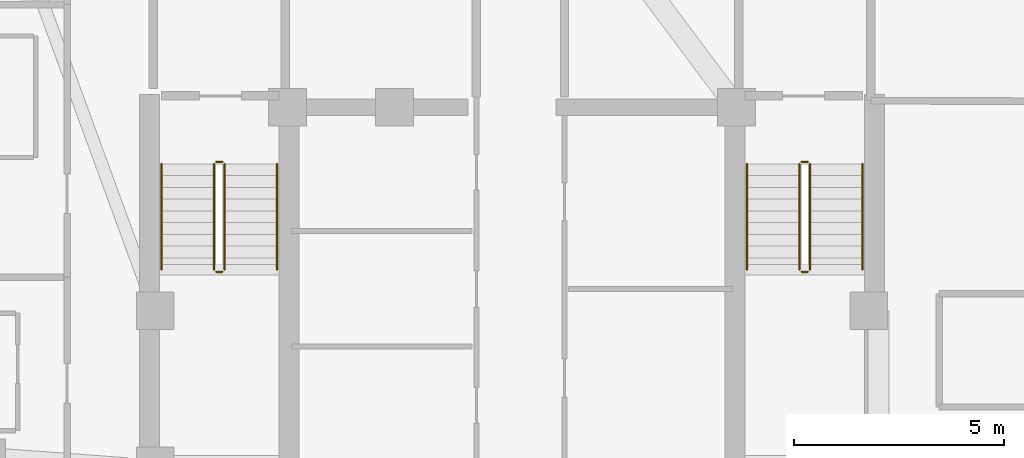
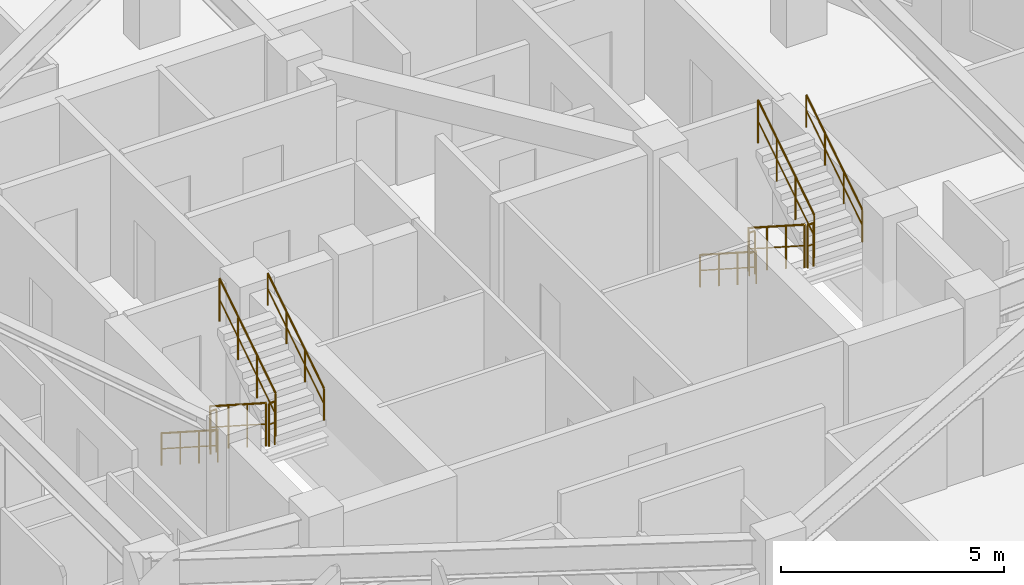
# One storey, part 9 of 9: 12 railings.
"""IFC4 building model written with IfcOpenShell, lengths in metres."""

import ifcopenshell
import ifcopenshell.guid

model = None  # the IFC model being written
_history = None  # IfcOwnerHistory: only IFC2X3 demands one
_inside = {}  # id of a spatial element -> (the spatial element, [elements in it])
_under = {}  # id of a project, library or spatial element -> (it, [spatial elements below it])
_declared = {}  # id of a project -> (the project, [libraries it declares])
_typed = {}  # id of a type object -> (the type object, [elements of that type])
_made_of = {}  # id of a material, layer set ... -> (it, [elements and type objects made of it])


def new_model(schema):
    """Start an empty IFC model of exactly this schema.

    Asked for "IFC4X3", IfcOpenShell would pick the latest addendum, in which some entities
    have other attributes; the version numbers below select the first issue.
    IFC2X3 requires an IfcOwnerHistory on every rooted entity: one is made here for all.
    """
    global model, _history
    if schema == "IFC4X3":
        model = ifcopenshell.file(schema_version=(4, 3, 0, 0))
    else:
        model = ifcopenshell.file(schema=schema)
    _inside.clear()
    _under.clear()
    _declared.clear()
    _typed.clear()
    _made_of.clear()
    _history = None
    if model.schema == "IFC2X3":
        org = make("IfcOrganization", Name="unknown")
        user = make(
            "IfcPersonAndOrganization",
            ThePerson=make("IfcPerson", FamilyName="unknown"),
            TheOrganization=org,
        )
        app = make(
            "IfcApplication",
            ApplicationDeveloper=org,
            Version="unknown",
            ApplicationFullName="unknown",
            ApplicationIdentifier="unknown",
        )
        _history = make(
            "IfcOwnerHistory",
            OwningUser=user,
            OwningApplication=app,
            ChangeAction="ADDED",
            CreationDate=0,
        )
    return model


def make(cls, **values):
    """One entity of the class cls with the attributes given. An attribute that is None is left unset."""
    return model.create_entity(
        cls, **{name: value for name, value in values.items() if value is not None}
    )


def rooted(cls, **values):
    """An entity with a GlobalId (a new one), such as an element, a storey or a relation."""
    return make(cls, GlobalId=ifcopenshell.guid.new(), OwnerHistory=_history, **values)


def si_unit(unit_type, name, prefix=None):
    """IfcSIUnit, for example si_unit("LENGTHUNIT", "METRE", prefix="MILLI")."""
    return make("IfcSIUnit", UnitType=unit_type, Prefix=prefix, Name=name)


def assignment(units):
    """IfcUnitAssignment: the units of a project."""
    return None if units is None else make("IfcUnitAssignment", Units=units)


def point(xyz):
    """IfcCartesianPoint."""
    return None if xyz is None else make("IfcCartesianPoint", Coordinates=xyz)


def direction(xyz):
    """IfcDirection."""
    return None if xyz is None else make("IfcDirection", DirectionRatios=xyz)


def frame(location, z_axis=None, x_axis=None):
    """IfcAxis2Placement3D, a coordinate frame: its origin and axes. An axis left out is left unset."""
    return make(
        "IfcAxis2Placement3D",
        Location=point(location),
        Axis=direction(z_axis),
        RefDirection=direction(x_axis),
    )


def frame_2d(location, x_axis=None):
    """IfcAxis2Placement2D, a coordinate frame in the plane: its origin and x axis."""
    return make(
        "IfcAxis2Placement2D", Location=point(location), RefDirection=direction(x_axis)
    )


def origin():
    """The frame at (0, 0, 0) with its axes left unset."""
    return frame((0.0, 0.0, 0.0))


def origin_2d():
    """The frame at (0, 0) in the plane with its x axis left unset."""
    return frame_2d((0.0, 0.0))


def place(relative_to, where):
    """IfcLocalPlacement: puts the frame where relative to a parent placement (None: the world)."""
    return make(
        "IfcLocalPlacement", PlacementRelTo=relative_to, RelativePlacement=where
    )


def context(
    kind, dimensions, precision=None, world=None, true_north=None, identifier=None
):
    """IfcGeometricRepresentationContext, for example the 3D "Model" context."""
    return make(
        "IfcGeometricRepresentationContext",
        ContextIdentifier=identifier,
        ContextType=kind,
        CoordinateSpaceDimension=dimensions,
        Precision=precision,
        WorldCoordinateSystem=world,
        TrueNorth=true_north,
    )


def subcontext(parent, identifier, kind, view, scale=None):
    """IfcGeometricRepresentationSubContext, for example "Body" below "Model"."""
    return make(
        "IfcGeometricRepresentationSubContext",
        ContextIdentifier=identifier,
        ContextType=kind,
        ParentContext=parent,
        TargetScale=scale,
        TargetView=view,
    )


def project(units=None, contexts=None):
    """IfcProject with its units and contexts."""
    return rooted(
        "IfcProject",
        Name="project",
        RepresentationContexts=contexts,
        UnitsInContext=assignment(units),
    )


def spatial(cls, under=None, at=None, **own):
    """A site, building, storey or space (cls), placed at a placement, below another one or the project."""
    s = rooted(cls, ObjectPlacement=at, **own)
    if under is not None:
        _under.setdefault(under.id(), (under, []))[1].append(s)
    return s


def profile(cls, at=None, kind="AREA", **sizes):
    """A parametric profile (cls). Its sizes go by their IFC names, for example OverallWidth=200.0."""
    return make(cls, ProfileType=kind, Position=at, **sizes)


def circle(**sizes):
    """IfcCircleProfileDef."""
    return profile("IfcCircleProfileDef", **sizes)


def extrude(swept, where, along, depth):
    """IfcExtrudedAreaSolid: the profile swept, set in the frame where, extruded along a direction by depth."""
    return make(
        "IfcExtrudedAreaSolid",
        SweptArea=swept,
        Position=where,
        ExtrudedDirection=direction(along),
        Depth=depth,
    )


def shape(context_of_items, identifier, shape_type, items):
    """IfcShapeRepresentation: the items that make up one representation, for example the "Body"."""
    return make(
        "IfcShapeRepresentation",
        ContextOfItems=context_of_items,
        RepresentationIdentifier=identifier,
        RepresentationType=shape_type,
        Items=items,
    )


def material(Name=None, Category=None):
    """IfcMaterial."""
    return make("IfcMaterial", Name=Name, Category=Category)


def made_of(thing, what):
    """Note that an element or type object is made of a material, layer set ...; save() writes the relation."""
    if what is not None:
        _made_of.setdefault(what.id(), (what, []))[1].append(thing)
    return thing


def type_object(cls, material=None, **own):
    """A type object (cls), such as IfcWallType, which elements share."""
    return made_of(rooted(cls, **own), material)


def element(
    cls,
    number,
    at=None,
    inside=None,
    cuts=None,
    type_object=None,
    material=None,
    context=None,
    identifier="Body",
    shape_type=None,
    held_by="IfcProductDefinitionShape",
    body=None,
    shapes=None,
    **own,
):
    """One element of the class cls, such as IfcWall. Its Tag is "e" and its number.

    at: its placement. inside: the storey or other place that contains it. cuts: it is an
    opening in that element (IfcRelVoidsElement). A single representation is given by context,
    identifier, shape_type and body (its items); several are given by shapes. held_by: the class
    of the entity that holds the representations. save() writes the other relations.
    """
    e = rooted(cls, Tag="e%d" % number, ObjectPlacement=at, **own)
    if body is not None:
        shapes = [shape(context, identifier, shape_type, body)]
    if shapes is not None:
        e.Representation = make(held_by, Representations=shapes)
    if inside is not None:
        _inside.setdefault(inside.id(), (inside, []))[1].append(e)
    if cuts is not None:
        rooted(
            "IfcRelVoidsElement", RelatingBuildingElement=cuts, RelatedOpeningElement=e
        )
    if type_object is not None:
        _typed.setdefault(type_object.id(), (type_object, []))[1].append(e)
    return made_of(e, material)


def aggregate(whole, parts):
    """IfcRelAggregates: a whole, such as a stair, and the parts it consists of."""
    return rooted("IfcRelAggregates", RelatingObject=whole, RelatedObjects=parts)


def save(model, path):
    """Write the relations noted so far, then the file.

    IfcRelAggregates (storeys below a building ...), IfcRelContainedInSpatialStructure (elements
    in a storey), IfcRelDefinesByType, IfcRelAssociatesMaterial and IfcRelDeclares: one each for
    every whole, place, type object, material and project.
    """
    for whole, parts in _under.values():
        aggregate(whole, parts)
    for where, things in _inside.values():
        rooted(
            "IfcRelContainedInSpatialStructure",
            RelatedElements=things,
            RelatingStructure=where,
        )
    for kind, things in _typed.values():
        rooted("IfcRelDefinesByType", RelatedObjects=things, RelatingType=kind)
    for what, things in _made_of.values():
        rooted("IfcRelAssociatesMaterial", RelatedObjects=things, RelatingMaterial=what)
    for by, libraries in _declared.values():
        rooted("IfcRelDeclares", RelatingContext=by, RelatedDefinitions=libraries)
    model.write(path)


model = new_model("IFC4")

# Units and contexts
model_context = context("Model", 3, precision=1e-05, world=origin(), true_north=direction((0.0, 1.0)))
body_context = subcontext(model_context, "Body", "Model", "MODEL_VIEW")
ifc_project = project(units=[si_unit("LENGTHUNIT", "METRE"), si_unit("AREAUNIT", "SQUARE_METRE"), si_unit("VOLUMEUNIT", "CUBIC_METRE"), si_unit("PLANEANGLEUNIT", "RADIAN"), si_unit("MASSUNIT", "GRAM", prefix="KILO")], contexts=[model_context])

# Site, building, storey
site_placement = place(None, origin())
site = spatial("IfcSite", under=ifc_project, at=site_placement, CompositionType="ELEMENT")
building_placement = place(site_placement, origin())
building = spatial("IfcBuilding", under=site, at=building_placement, Name="Miruveldt Soraemaru", CompositionType="ELEMENT")
storey_placement = place(building_placement, frame((0.0, 0.0, 241.199951171875)))
storey = spatial("IfcBuildingStorey", under=building, at=storey_placement, Name="L66", CompositionType="ELEMENT", Elevation=241.199951171875)

# Railings
ifc_material = material(Name="Steel S355 (355 MPa)", Category="steel")
railing_type_1 = type_object("IfcRailingType", Name="RAIL-HR-900", PredefinedType="HANDRAIL", material=ifc_material)
railing_1_placement = place(storey_placement, frame((35.64990234375, 42.699951171875, 0.179931640625)))
element("IfcRailing", 1, at=railing_1_placement, inside=storey, type_object=railing_type_1, Name="L66 ST-1 stair handrail 1", PredefinedType="HANDRAIL", context=body_context, shape_type="SweptSolid", body=[
    extrude(circle(Radius=0.02392578125, at=origin_2d()), frame((0.0, 0.0, 0.8759765625), z_axis=(0.0, -0.841162588446, 0.540782303519), x_axis=(1.0, 0.0, 0.0)), (0.0, 0.0, 1.0), 2.995849609375),
    extrude(circle(Radius=0.01611328125, at=origin_2d()), frame((0.0, 0.0, 0.449951171875), z_axis=(0.0, -0.841162588446, 0.540782303519), x_axis=(1.0, 0.0, 0.0)), (0.0, 0.0, 1.0), 2.995849609375),
    extrude(circle(Radius=0.02099609375, at=origin_2d()), origin(), (0.0, 0.0, 1.0), 0.851806640625),
    extrude(circle(Radius=0.02099609375, at=origin_2d()), frame((0.0, -0.840087890625, 0.5400390625)), (0.0, 0.0, 1.0), 0.851806640625),
    extrude(circle(Radius=0.02099609375, at=origin_2d()), frame((0.0, -1.679931640625, 1.080078125)), (0.0, 0.0, 1.0), 0.851806640625),
    extrude(circle(Radius=0.02099609375, at=origin_2d()), frame((0.0, -2.52001953125, 1.6201171875)), (0.0, 0.0, 1.0), 0.851806640625),
])
railing_2_placement = place(storey_placement, frame((38.39990234375, 40.179931640625, 1.97998046875)))
element("IfcRailing", 2, at=railing_2_placement, inside=storey, type_object=railing_type_1, Name="L66 ST-1 stair handrail 2", PredefinedType="HANDRAIL", context=body_context, shape_type="SweptSolid", body=[
    extrude(circle(Radius=0.02392578125, at=origin_2d()), frame((0.0, 0.0, 0.8759765625), z_axis=(0.0, 0.841162588446, 0.540782303519), x_axis=(-1.0, 0.0, 0.0)), (0.0, 0.0, 1.0), 2.995849609375),
    extrude(circle(Radius=0.01611328125, at=origin_2d()), frame((0.0, 0.0, 0.449951171875), z_axis=(0.0, 0.841162588446, 0.540782303519), x_axis=(-1.0, 0.0, 0.0)), (0.0, 0.0, 1.0), 2.995849609375),
    extrude(circle(Radius=0.02099609375, at=origin_2d()), origin(), (0.0, 0.0, 1.0), 0.851806640625),
    extrude(circle(Radius=0.02099609375, at=origin_2d()), frame((0.0, 0.840087890625, 0.5400390625)), (0.0, 0.0, 1.0), 0.851806640625),
    extrude(circle(Radius=0.02099609375, at=origin_2d()), frame((0.0, 1.679931640625, 1.080078125)), (0.0, 0.0, 1.0), 0.851806640625),
    extrude(circle(Radius=0.02099609375, at=origin_2d()), frame((0.0, 2.52001953125, 1.6201171875)), (0.0, 0.0, 1.0), 0.851806640625),
])
railing_3_placement = place(storey_placement, frame((49.60009765625, 42.699951171875, 0.179931640625)))
element("IfcRailing", 3, at=railing_3_placement, inside=storey, type_object=railing_type_1, Name="L66 ST-2 stair handrail 1", PredefinedType="HANDRAIL", context=body_context, shape_type="SweptSolid", body=[
    extrude(circle(Radius=0.02392578125, at=origin_2d()), frame((0.0, 0.0, 0.8759765625), z_axis=(0.0, -0.841162588446, 0.540782303519), x_axis=(1.0, 0.0, 0.0)), (0.0, 0.0, 1.0), 2.995849609375),
    extrude(circle(Radius=0.01611328125, at=origin_2d()), frame((0.0, 0.0, 0.449951171875), z_axis=(0.0, -0.841162588446, 0.540782303519), x_axis=(1.0, 0.0, 0.0)), (0.0, 0.0, 1.0), 2.995849609375),
    extrude(circle(Radius=0.02099609375, at=origin_2d()), origin(), (0.0, 0.0, 1.0), 0.851806640625),
    extrude(circle(Radius=0.02099609375, at=origin_2d()), frame((0.0, -0.840087890625, 0.5400390625)), (0.0, 0.0, 1.0), 0.851806640625),
    extrude(circle(Radius=0.02099609375, at=origin_2d()), frame((0.0, -1.679931640625, 1.080078125)), (0.0, 0.0, 1.0), 0.851806640625),
    extrude(circle(Radius=0.02099609375, at=origin_2d()), frame((0.0, -2.52001953125, 1.6201171875)), (0.0, 0.0, 1.0), 0.851806640625),
])
railing_4_placement = place(storey_placement, frame((52.35009765625, 40.179931640625, 1.97998046875)))
element("IfcRailing", 4, at=railing_4_placement, inside=storey, type_object=railing_type_1, Name="L66 ST-2 stair handrail 2", PredefinedType="HANDRAIL", context=body_context, shape_type="SweptSolid", body=[
    extrude(circle(Radius=0.02392578125, at=origin_2d()), frame((0.0, 0.0, 0.8759765625), z_axis=(0.0, 0.841162588446, 0.540782303519), x_axis=(-1.0, 0.0, 0.0)), (0.0, 0.0, 1.0), 2.995849609375),
    extrude(circle(Radius=0.01611328125, at=origin_2d()), frame((0.0, 0.0, 0.449951171875), z_axis=(0.0, 0.841162588446, 0.540782303519), x_axis=(-1.0, 0.0, 0.0)), (0.0, 0.0, 1.0), 2.995849609375),
    extrude(circle(Radius=0.02099609375, at=origin_2d()), origin(), (0.0, 0.0, 1.0), 0.851806640625),
    extrude(circle(Radius=0.02099609375, at=origin_2d()), frame((0.0, 0.840087890625, 0.5400390625)), (0.0, 0.0, 1.0), 0.851806640625),
    extrude(circle(Radius=0.02099609375, at=origin_2d()), frame((0.0, 1.679931640625, 1.080078125)), (0.0, 0.0, 1.0), 0.851806640625),
    extrude(circle(Radius=0.02099609375, at=origin_2d()), frame((0.0, 2.52001953125, 1.6201171875)), (0.0, 0.0, 1.0), 0.851806640625),
])
railing_type_2 = type_object("IfcRailingType", Name="RAIL-STGUARD-1200", PredefinedType="GUARDRAIL", material=ifc_material)
railing_5_placement = place(storey_placement, frame((36.89990234375, 42.699951171875, 0.179931640625)))
element("IfcRailing", 5, at=railing_5_placement, inside=storey, type_object=railing_type_2, Name="L66 ST-1 stair guard 1", PredefinedType="GUARDRAIL", context=body_context, shape_type="SweptSolid", body=[
    extrude(circle(Radius=0.02392578125, at=origin_2d()), frame((0.0, 0.0, 1.17578125), z_axis=(0.0, -0.841162588446, 0.540782303519), x_axis=(1.0, 0.0, 0.0)), (0.0, 0.0, 1.0), 2.995849609375),
    extrude(circle(Radius=0.01611328125, at=origin_2d()), frame((0.0, 0.0, 0.60009765625), z_axis=(0.0, -0.841162588446, 0.540782303519), x_axis=(1.0, 0.0, 0.0)), (0.0, 0.0, 1.0), 2.995849609375),
    extrude(circle(Radius=0.02099609375, at=origin_2d()), origin(), (0.0, 0.0, 1.0), 1.15185546875),
    extrude(circle(Radius=0.02099609375, at=origin_2d()), frame((0.0, -0.840087890625, 0.5400390625)), (0.0, 0.0, 1.0), 1.15185546875),
    extrude(circle(Radius=0.02099609375, at=origin_2d()), frame((0.0, -1.679931640625, 1.080078125)), (0.0, 0.0, 1.0), 1.15185546875),
    extrude(circle(Radius=0.02099609375, at=origin_2d()), frame((0.0, -2.52001953125, 1.6201171875)), (0.0, 0.0, 1.0), 1.15185546875),
])
railing_6_placement = place(storey_placement, frame((36.949951171875, 40.1298828125, 1.800048828125)))
element("IfcRailing", 6, at=railing_6_placement, inside=storey, type_object=railing_type_2, Name="L66 ST-1 stair guard 2", PredefinedType="GUARDRAIL", context=body_context, shape_type="SweptSolid", body=[
    extrude(circle(Radius=0.02392578125, at=origin_2d()), frame((0.0, 0.0, 1.17578125), z_axis=(1.0, 0.0, 0.0), x_axis=(0.0, 1.0, 0.0)), (0.0, 0.0, 1.0), 0.150146484375),
    extrude(circle(Radius=0.01611328125, at=origin_2d()), frame((0.0, 0.0, 0.60009765625), z_axis=(1.0, 0.0, 0.0), x_axis=(0.0, 1.0, 0.0)), (0.0, 0.0, 1.0), 0.150146484375),
    extrude(circle(Radius=0.02099609375, at=origin_2d()), origin(), (0.0, 0.0, 1.0), 1.15185546875),
    extrude(circle(Radius=0.02099609375, at=origin_2d()), frame((0.150146484375, 0.0, 0.0)), (0.0, 0.0, 1.0), 1.15185546875),
])
railing_7_placement = place(storey_placement, frame((37.14990234375, 40.179931640625, 1.97998046875)))
element("IfcRailing", 7, at=railing_7_placement, inside=storey, type_object=railing_type_2, Name="L66 ST-1 stair guard 3", PredefinedType="GUARDRAIL", context=body_context, shape_type="SweptSolid", body=[
    extrude(circle(Radius=0.02392578125, at=origin_2d()), frame((0.0, 0.0, 1.17578125), z_axis=(0.0, 0.841162588446, 0.540782303519), x_axis=(-1.0, 0.0, 0.0)), (0.0, 0.0, 1.0), 2.995849609375),
    extrude(circle(Radius=0.01611328125, at=origin_2d()), frame((0.0, 0.0, 0.60009765625), z_axis=(0.0, 0.841162588446, 0.540782303519), x_axis=(-1.0, 0.0, 0.0)), (0.0, 0.0, 1.0), 2.995849609375),
    extrude(circle(Radius=0.02099609375, at=origin_2d()), origin(), (0.0, 0.0, 1.0), 1.15185546875),
    extrude(circle(Radius=0.02099609375, at=origin_2d()), frame((0.0, 0.840087890625, 0.5400390625)), (0.0, 0.0, 1.0), 1.15185546875),
    extrude(circle(Radius=0.02099609375, at=origin_2d()), frame((0.0, 1.679931640625, 1.080078125)), (0.0, 0.0, 1.0), 1.15185546875),
    extrude(circle(Radius=0.02099609375, at=origin_2d()), frame((0.0, 2.52001953125, 1.6201171875)), (0.0, 0.0, 1.0), 1.15185546875),
])
railing_8_placement = place(storey_placement, frame((36.949951171875, 42.75, 0.0)))
element("IfcRailing", 8, at=railing_8_placement, inside=storey, type_object=railing_type_2, Name="L66 ST-1 stair guard 4", PredefinedType="GUARDRAIL", context=body_context, shape_type="SweptSolid", body=[
    extrude(circle(Radius=0.02392578125, at=origin_2d()), frame((0.0, 0.0, 1.17578125), z_axis=(1.0, 0.0, 0.0), x_axis=(0.0, 1.0, 0.0)), (0.0, 0.0, 1.0), 0.150146484375),
    extrude(circle(Radius=0.01611328125, at=origin_2d()), frame((0.0, 0.0, 0.60009765625), z_axis=(1.0, 0.0, 0.0), x_axis=(0.0, 1.0, 0.0)), (0.0, 0.0, 1.0), 0.150146484375),
    extrude(circle(Radius=0.02099609375, at=origin_2d()), origin(), (0.0, 0.0, 1.0), 1.15185546875),
    extrude(circle(Radius=0.02099609375, at=origin_2d()), frame((0.150146484375, 0.0, 0.0)), (0.0, 0.0, 1.0), 1.15185546875),
])
railing_9_placement = place(storey_placement, frame((50.85009765625, 42.699951171875, 0.179931640625)))
element("IfcRailing", 9, at=railing_9_placement, inside=storey, type_object=railing_type_2, Name="L66 ST-2 stair guard 1", PredefinedType="GUARDRAIL", context=body_context, shape_type="SweptSolid", body=[
    extrude(circle(Radius=0.02392578125, at=origin_2d()), frame((0.0, 0.0, 1.17578125), z_axis=(0.0, -0.841162588446, 0.540782303519), x_axis=(1.0, 0.0, 0.0)), (0.0, 0.0, 1.0), 2.995849609375),
    extrude(circle(Radius=0.01611328125, at=origin_2d()), frame((0.0, 0.0, 0.60009765625), z_axis=(0.0, -0.841162588446, 0.540782303519), x_axis=(1.0, 0.0, 0.0)), (0.0, 0.0, 1.0), 2.995849609375),
    extrude(circle(Radius=0.02099609375, at=origin_2d()), origin(), (0.0, 0.0, 1.0), 1.15185546875),
    extrude(circle(Radius=0.02099609375, at=origin_2d()), frame((0.0, -0.840087890625, 0.5400390625)), (0.0, 0.0, 1.0), 1.15185546875),
    extrude(circle(Radius=0.02099609375, at=origin_2d()), frame((0.0, -1.679931640625, 1.080078125)), (0.0, 0.0, 1.0), 1.15185546875),
    extrude(circle(Radius=0.02099609375, at=origin_2d()), frame((0.0, -2.52001953125, 1.6201171875)), (0.0, 0.0, 1.0), 1.15185546875),
])
railing_10_placement = place(storey_placement, frame((50.89990234375, 40.1298828125, 1.800048828125)))
element("IfcRailing", 10, at=railing_10_placement, inside=storey, type_object=railing_type_2, Name="L66 ST-2 stair guard 2", PredefinedType="GUARDRAIL", context=body_context, shape_type="SweptSolid", body=[
    extrude(circle(Radius=0.02392578125, at=origin_2d()), frame((0.0, 0.0, 1.17578125), z_axis=(1.0, 0.0, 0.0), x_axis=(0.0, 1.0, 0.0)), (0.0, 0.0, 1.0), 0.150146484375),
    extrude(circle(Radius=0.01611328125, at=origin_2d()), frame((0.0, 0.0, 0.60009765625), z_axis=(1.0, 0.0, 0.0), x_axis=(0.0, 1.0, 0.0)), (0.0, 0.0, 1.0), 0.150146484375),
    extrude(circle(Radius=0.02099609375, at=origin_2d()), origin(), (0.0, 0.0, 1.0), 1.15185546875),
    extrude(circle(Radius=0.02099609375, at=origin_2d()), frame((0.150146484375, 0.0, 0.0)), (0.0, 0.0, 1.0), 1.15185546875),
])
railing_11_placement = place(storey_placement, frame((51.10009765625, 40.179931640625, 1.97998046875)))
element("IfcRailing", 11, at=railing_11_placement, inside=storey, type_object=railing_type_2, Name="L66 ST-2 stair guard 3", PredefinedType="GUARDRAIL", context=body_context, shape_type="SweptSolid", body=[
    extrude(circle(Radius=0.02392578125, at=origin_2d()), frame((0.0, 0.0, 1.17578125), z_axis=(0.0, 0.841162588446, 0.540782303519), x_axis=(-1.0, 0.0, 0.0)), (0.0, 0.0, 1.0), 2.995849609375),
    extrude(circle(Radius=0.01611328125, at=origin_2d()), frame((0.0, 0.0, 0.60009765625), z_axis=(0.0, 0.841162588446, 0.540782303519), x_axis=(-1.0, 0.0, 0.0)), (0.0, 0.0, 1.0), 2.995849609375),
    extrude(circle(Radius=0.02099609375, at=origin_2d()), origin(), (0.0, 0.0, 1.0), 1.15185546875),
    extrude(circle(Radius=0.02099609375, at=origin_2d()), frame((0.0, 0.840087890625, 0.5400390625)), (0.0, 0.0, 1.0), 1.15185546875),
    extrude(circle(Radius=0.02099609375, at=origin_2d()), frame((0.0, 1.679931640625, 1.080078125)), (0.0, 0.0, 1.0), 1.15185546875),
    extrude(circle(Radius=0.02099609375, at=origin_2d()), frame((0.0, 2.52001953125, 1.6201171875)), (0.0, 0.0, 1.0), 1.15185546875),
])
railing_12_placement = place(storey_placement, frame((50.89990234375, 42.75, 0.0)))
element("IfcRailing", 12, at=railing_12_placement, inside=storey, type_object=railing_type_2, Name="L66 ST-2 stair guard 4", PredefinedType="GUARDRAIL", context=body_context, shape_type="SweptSolid", body=[
    extrude(circle(Radius=0.02392578125, at=origin_2d()), frame((0.0, 0.0, 1.17578125), z_axis=(1.0, 0.0, 0.0), x_axis=(0.0, 1.0, 0.0)), (0.0, 0.0, 1.0), 0.150146484375),
    extrude(circle(Radius=0.01611328125, at=origin_2d()), frame((0.0, 0.0, 0.60009765625), z_axis=(1.0, 0.0, 0.0), x_axis=(0.0, 1.0, 0.0)), (0.0, 0.0, 1.0), 0.150146484375),
    extrude(circle(Radius=0.02099609375, at=origin_2d()), origin(), (0.0, 0.0, 1.0), 1.15185546875),
    extrude(circle(Radius=0.02099609375, at=origin_2d()), frame((0.150146484375, 0.0, 0.0)), (0.0, 0.0, 1.0), 1.15185546875),
])

save(model, "model.ifc")
